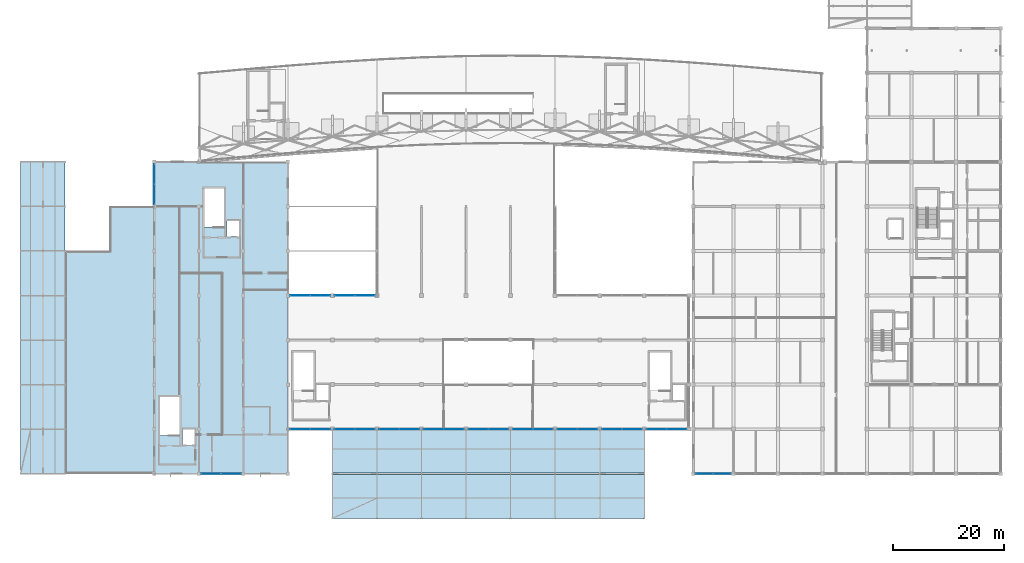
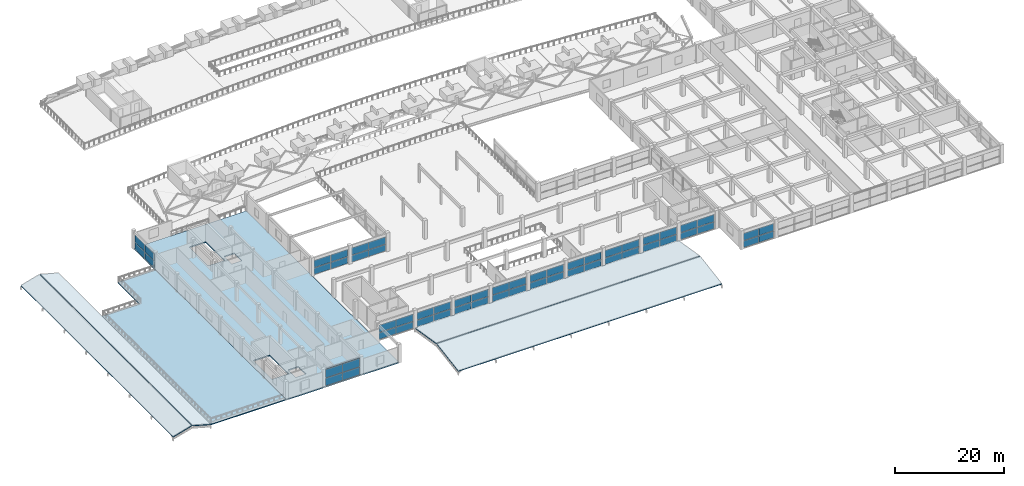
# One storey, part 34 of 67: 56 plates, 6 slabs, 14 elements without a shape of their own.
"""IFC4 building model written with IfcOpenShell, lengths in metres."""

from ifc_helpers import new_model, si_unit, direction, frame, origin, origin_2d, place, context, subcontext, project, spatial, polyline, rectangle, outline, extrude, material, layer, layer_set, type_object, element, aggregate, save


model = new_model("IFC4")

# Units and contexts
model_context = context("Model", 3, precision=1e-05, world=origin(), true_north=direction((0.0, 1.0)))
body_context = subcontext(model_context, "Body", "Model", "MODEL_VIEW")
ifc_project = project(units=[si_unit("LENGTHUNIT", "METRE"), si_unit("AREAUNIT", "SQUARE_METRE"), si_unit("VOLUMEUNIT", "CUBIC_METRE"), si_unit("PLANEANGLEUNIT", "RADIAN"), si_unit("MASSUNIT", "GRAM", prefix="KILO")], contexts=[model_context])

# Site, building, storey
site_placement = place(None, origin())
site = spatial("IfcSite", under=ifc_project, at=site_placement, CompositionType="ELEMENT")
building_placement = place(site_placement, origin())
building = spatial("IfcBuilding", under=site, at=building_placement, Name="Kenh Van Central Station", CompositionType="ELEMENT")
storey_placement = place(building_placement, frame((0.0, 0.0, 10.800048828125)))
storey = spatial("IfcBuildingStorey", under=building, at=storey_placement, Name="L02", CompositionType="ELEMENT", Elevation=10.800048828125)

# Curtain wall, plates
ifc_material_1 = material(Name="Champagne anodised aluminium", Category="aluminium")
curtain_wall_type_1 = type_object("IfcCurtainWallType", Name="CW-RETL-B", PredefinedType="NOTDEFINED", material=ifc_material_1)
curtain_wall_1_placement = place(storey_placement, origin())
curtain_wall_1 = element("IfcCurtainWall", 1, at=curtain_wall_1_placement, inside=storey, type_object=curtain_wall_type_1, Name="L02 curtain wall 180", PredefinedType="NOTDEFINED")
ifc_material_2 = material(Name="Double-glazed low-E laminated solar glass", Category="glass")
ifc_layer_1 = layer(ifc_material_2, 0.02392578125, Name="Double-glazed low-E laminated solar glass")
ifc_layer_set_1 = layer_set([ifc_layer_1], Name="Double-glazed low-E laminated solar glass")
plate_type_1 = type_object("IfcPlateType", Name="CWP-IGU-24", PredefinedType="CURTAIN_PANEL", material=ifc_layer_set_1)
plate_1_placement = place(storey_placement, frame((34.183837890625, 8.0, 0.072021484375), z_axis=(0.0, 0.0, 1.0), x_axis=(1.0, 0.0, 0.0)))
plate_1 = element("IfcPlate", 2, at=plate_1_placement, type_object=plate_type_1, Name="CW-06 panel 1.1", PredefinedType="CURTAIN_PANEL", context=body_context, shape_type="SweptSolid", body=[
    extrude(rectangle(XDim=3.547607421875, YDim=0.02392578125, at=origin_2d()), origin(), (0.0, 0.0, 1.0), 1.75439453125),
])
plate_2_placement = place(storey_placement, frame((34.183837890625, 8.0, 1.8984375), z_axis=(0.0, 0.0, 1.0), x_axis=(1.0, 0.0, 0.0)))
plate_2 = element("IfcPlate", 3, at=plate_2_placement, type_object=plate_type_1, Name="CW-06 panel 1.2", PredefinedType="CURTAIN_PANEL", context=body_context, shape_type="SweptSolid", body=[
    extrude(rectangle(XDim=3.547607421875, YDim=0.02392578125, at=origin_2d()), origin(), (0.0, 0.0, 1.0), 1.90966796875),
])
plate_3_placement = place(storey_placement, frame((37.816162109375, 8.0, 0.072021484375), z_axis=(0.0, 0.0, 1.0), x_axis=(1.0, 0.0, 0.0)))
plate_3 = element("IfcPlate", 4, at=plate_3_placement, type_object=plate_type_1, Name="CW-06 panel 2.1", PredefinedType="CURTAIN_PANEL", context=body_context, shape_type="SweptSolid", body=[
    extrude(rectangle(XDim=3.547607421875, YDim=0.02392578125, at=origin_2d()), origin(), (0.0, 0.0, 1.0), 1.75439453125),
])
plate_4_placement = place(storey_placement, frame((37.816162109375, 8.0, 1.8984375), z_axis=(0.0, 0.0, 1.0), x_axis=(1.0, 0.0, 0.0)))
plate_4 = element("IfcPlate", 5, at=plate_4_placement, type_object=plate_type_1, Name="CW-06 panel 2.2", PredefinedType="CURTAIN_PANEL", context=body_context, shape_type="SweptSolid", body=[
    extrude(rectangle(XDim=3.547607421875, YDim=0.02392578125, at=origin_2d()), origin(), (0.0, 0.0, 1.0), 1.90966796875),
])
aggregate(curtain_wall_1, [plate_1, plate_2, plate_3, plate_4])

curtain_wall_2_placement = place(storey_placement, origin())
curtain_wall_2 = element("IfcCurtainWall", 6, at=curtain_wall_2_placement, inside=storey, type_object=curtain_wall_type_1, Name="L02 curtain wall 181", PredefinedType="NOTDEFINED")
plate_5_placement = place(storey_placement, frame((24.0, 61.816162109375, 0.072021484375), z_axis=(0.0, 0.0, 1.0), x_axis=(0.0, -1.0, 0.0)))
plate_5 = element("IfcPlate", 7, at=plate_5_placement, type_object=plate_type_1, Name="CW-06 panel 1.1", PredefinedType="CURTAIN_PANEL", context=body_context, shape_type="SweptSolid", body=[
    extrude(rectangle(XDim=3.547607421875, YDim=0.02392578125, at=origin_2d()), origin(), (0.0, 0.0, 1.0), 1.5048828125),
])
plate_6_placement = place(storey_placement, frame((24.0, 61.816162109375, 1.648681640625), z_axis=(0.0, 0.0, 1.0), x_axis=(0.0, -1.0, 0.0)))
plate_6 = element("IfcPlate", 8, at=plate_6_placement, type_object=plate_type_1, Name="CW-06 panel 1.2", PredefinedType="CURTAIN_PANEL", context=body_context, shape_type="SweptSolid", body=[
    extrude(rectangle(XDim=3.547607421875, YDim=0.02392578125, at=origin_2d()), origin(), (0.0, 0.0, 1.0), 1.63916015625),
])
plate_7_placement = place(storey_placement, frame((24.0, 58.183837890625, 0.072021484375), z_axis=(0.0, 0.0, 1.0), x_axis=(0.0, -1.0, 0.0)))
plate_7 = element("IfcPlate", 9, at=plate_7_placement, type_object=plate_type_1, Name="CW-06 panel 2.1", PredefinedType="CURTAIN_PANEL", context=body_context, shape_type="SweptSolid", body=[
    extrude(rectangle(XDim=3.547607421875, YDim=0.02392578125, at=origin_2d()), origin(), (0.0, 0.0, 1.0), 1.5048828125),
])
plate_8_placement = place(storey_placement, frame((24.0, 58.183837890625, 1.648681640625), z_axis=(0.0, 0.0, 1.0), x_axis=(0.0, -1.0, 0.0)))
plate_8 = element("IfcPlate", 10, at=plate_8_placement, type_object=plate_type_1, Name="CW-06 panel 2.2", PredefinedType="CURTAIN_PANEL", context=body_context, shape_type="SweptSolid", body=[
    extrude(rectangle(XDim=3.547607421875, YDim=0.02392578125, at=origin_2d()), origin(), (0.0, 0.0, 1.0), 1.63916015625),
])
aggregate(curtain_wall_2, [plate_5, plate_6, plate_7, plate_8])

curtain_wall_type_2 = type_object("IfcCurtainWallType", Name="CW-CONC-B", PredefinedType="NOTDEFINED", material=ifc_material_1)
curtain_wall_3_placement = place(storey_placement, origin())
curtain_wall_3 = element("IfcCurtainWall", 11, at=curtain_wall_3_placement, inside=storey, type_object=curtain_wall_type_2, Name="L02 curtain wall 168", PredefinedType="NOTDEFINED")
ifc_layer_2 = layer(ifc_material_2, 0.028076171875, Name="Double-glazed low-E laminated solar glass")
ifc_layer_set_2 = layer_set([ifc_layer_2], Name="Double-glazed low-E laminated solar glass")
plate_type_2 = type_object("IfcPlateType", Name="CWP-IGU-28", PredefinedType="CURTAIN_PANEL", material=ifc_layer_set_2)
plate_9_placement = place(storey_placement, frame((61.804443359375, 40.0, 0.072021484375), z_axis=(0.0, 0.0, 1.0), x_axis=(-1.0, 0.0, 0.0)))
plate_9 = element("IfcPlate", 12, at=plate_9_placement, type_object=plate_type_2, Name="CW-04 panel 1.1", PredefinedType="CURTAIN_PANEL", context=body_context, shape_type="SweptSolid", body=[
    extrude(rectangle(XDim=3.527099609375, YDim=0.028076171875, at=origin_2d()), origin(), (0.0, 0.0, 1.0), 1.5048828125),
])
plate_10_placement = place(storey_placement, frame((61.804443359375, 40.0, 1.648681640625), z_axis=(0.0, 0.0, 1.0), x_axis=(-1.0, 0.0, 0.0)))
plate_10 = element("IfcPlate", 13, at=plate_10_placement, type_object=plate_type_2, Name="CW-04 panel 1.2", PredefinedType="CURTAIN_PANEL", context=body_context, shape_type="SweptSolid", body=[
    extrude(rectangle(XDim=3.527099609375, YDim=0.028076171875, at=origin_2d()), origin(), (0.0, 0.0, 1.0), 1.63916015625),
])
plate_11_placement = place(storey_placement, frame((58.195556640625, 40.0, 0.072021484375), z_axis=(0.0, 0.0, 1.0), x_axis=(-1.0, 0.0, 0.0)))
plate_11 = element("IfcPlate", 14, at=plate_11_placement, type_object=plate_type_2, Name="CW-04 panel 2.1", PredefinedType="CURTAIN_PANEL", context=body_context, shape_type="SweptSolid", body=[
    extrude(rectangle(XDim=3.527099609375, YDim=0.028076171875, at=origin_2d()), origin(), (0.0, 0.0, 1.0), 1.5048828125),
])
plate_12_placement = place(storey_placement, frame((58.195556640625, 40.0, 1.648681640625), z_axis=(0.0, 0.0, 1.0), x_axis=(-1.0, 0.0, 0.0)))
plate_12 = element("IfcPlate", 15, at=plate_12_placement, type_object=plate_type_2, Name="CW-04 panel 2.2", PredefinedType="CURTAIN_PANEL", context=body_context, shape_type="SweptSolid", body=[
    extrude(rectangle(XDim=3.527099609375, YDim=0.028076171875, at=origin_2d()), origin(), (0.0, 0.0, 1.0), 1.63916015625),
])
aggregate(curtain_wall_3, [plate_9, plate_10, plate_11, plate_12])

curtain_wall_4_placement = place(storey_placement, origin())
curtain_wall_4 = element("IfcCurtainWall", 16, at=curtain_wall_4_placement, inside=storey, type_object=curtain_wall_type_2, Name="L02 curtain wall 169", PredefinedType="NOTDEFINED")
plate_13_placement = place(storey_placement, frame((53.79833984375, 40.0, 0.072021484375), z_axis=(0.0, 0.0, 1.0), x_axis=(-1.0, 0.0, 0.0)))
plate_13 = element("IfcPlate", 17, at=plate_13_placement, type_object=plate_type_2, Name="CW-04 panel 1.1", PredefinedType="CURTAIN_PANEL", context=body_context, shape_type="SweptSolid", body=[
    extrude(rectangle(XDim=3.53955078125, YDim=0.028076171875, at=origin_2d()), origin(), (0.0, 0.0, 1.0), 1.5048828125),
])
plate_14_placement = place(storey_placement, frame((53.79833984375, 40.0, 1.648681640625), z_axis=(0.0, 0.0, 1.0), x_axis=(-1.0, 0.0, 0.0)))
plate_14 = element("IfcPlate", 18, at=plate_14_placement, type_object=plate_type_2, Name="CW-04 panel 1.2", PredefinedType="CURTAIN_PANEL", context=body_context, shape_type="SweptSolid", body=[
    extrude(rectangle(XDim=3.53955078125, YDim=0.028076171875, at=origin_2d()), origin(), (0.0, 0.0, 1.0), 1.63916015625),
])
plate_15_placement = place(storey_placement, frame((50.1767578125, 40.0, 0.072021484375), z_axis=(0.0, 0.0, 1.0), x_axis=(-1.0, 0.0, 0.0)))
plate_15 = element("IfcPlate", 19, at=plate_15_placement, type_object=plate_type_2, Name="CW-04 panel 2.1", PredefinedType="CURTAIN_PANEL", context=body_context, shape_type="SweptSolid", body=[
    extrude(rectangle(XDim=3.53955078125, YDim=0.028076171875, at=origin_2d()), origin(), (0.0, 0.0, 1.0), 1.5048828125),
])
plate_16_placement = place(storey_placement, frame((50.1767578125, 40.0, 1.648681640625), z_axis=(0.0, 0.0, 1.0), x_axis=(-1.0, 0.0, 0.0)))
plate_16 = element("IfcPlate", 20, at=plate_16_placement, type_object=plate_type_2, Name="CW-04 panel 2.2", PredefinedType="CURTAIN_PANEL", context=body_context, shape_type="SweptSolid", body=[
    extrude(rectangle(XDim=3.53955078125, YDim=0.028076171875, at=origin_2d()), origin(), (0.0, 0.0, 1.0), 1.63916015625),
])
aggregate(curtain_wall_4, [plate_13, plate_14, plate_15, plate_16])

curtain_wall_type_3 = type_object("IfcCurtainWallType", Name="CW-CONC-A", PredefinedType="NOTDEFINED", material=ifc_material_1)
curtain_wall_5_placement = place(storey_placement, origin())
curtain_wall_5 = element("IfcCurtainWall", 21, at=curtain_wall_5_placement, inside=storey, type_object=curtain_wall_type_3, Name="L02 curtain wall 159", PredefinedType="NOTDEFINED")
ifc_layer_3 = layer(ifc_material_2, 0.030029296875, Name="Double-glazed low-E laminated solar glass")
ifc_layer_set_3 = layer_set([ifc_layer_3], Name="Double-glazed low-E laminated solar glass")
plate_type_3 = type_object("IfcPlateType", Name="CWP-IGU-30", PredefinedType="CURTAIN_PANEL", material=ifc_layer_set_3)
plate_17_placement = place(storey_placement, frame((50.1767578125, 16.0, 0.072021484375), z_axis=(0.0, 0.0, 1.0), x_axis=(1.0, 0.0, 0.0)))
plate_17 = element("IfcPlate", 22, at=plate_17_placement, type_object=plate_type_3, Name="CW-03 panel 1.1", PredefinedType="CURTAIN_PANEL", context=body_context, shape_type="SweptSolid", body=[
    extrude(rectangle(XDim=3.53955078125, YDim=0.030029296875, at=origin_2d()), origin(), (0.0, 0.0, 1.0), 1.5048828125),
])
plate_18_placement = place(storey_placement, frame((50.1767578125, 16.0, 1.648681640625), z_axis=(0.0, 0.0, 1.0), x_axis=(1.0, 0.0, 0.0)))
plate_18 = element("IfcPlate", 23, at=plate_18_placement, type_object=plate_type_3, Name="CW-03 panel 1.2", PredefinedType="CURTAIN_PANEL", context=body_context, shape_type="SweptSolid", body=[
    extrude(rectangle(XDim=3.53955078125, YDim=0.030029296875, at=origin_2d()), origin(), (0.0, 0.0, 1.0), 1.63916015625),
])
plate_19_placement = place(storey_placement, frame((53.79833984375, 16.0, 0.072021484375), z_axis=(0.0, 0.0, 1.0), x_axis=(1.0, 0.0, 0.0)))
plate_19 = element("IfcPlate", 24, at=plate_19_placement, type_object=plate_type_3, Name="CW-03 panel 2.1", PredefinedType="CURTAIN_PANEL", context=body_context, shape_type="SweptSolid", body=[
    extrude(rectangle(XDim=3.53955078125, YDim=0.030029296875, at=origin_2d()), origin(), (0.0, 0.0, 1.0), 1.5048828125),
])
plate_20_placement = place(storey_placement, frame((53.79833984375, 16.0, 1.648681640625), z_axis=(0.0, 0.0, 1.0), x_axis=(1.0, 0.0, 0.0)))
plate_20 = element("IfcPlate", 25, at=plate_20_placement, type_object=plate_type_3, Name="CW-03 panel 2.2", PredefinedType="CURTAIN_PANEL", context=body_context, shape_type="SweptSolid", body=[
    extrude(rectangle(XDim=3.53955078125, YDim=0.030029296875, at=origin_2d()), origin(), (0.0, 0.0, 1.0), 1.63916015625),
])
aggregate(curtain_wall_5, [plate_17, plate_18, plate_19, plate_20])

curtain_wall_6_placement = place(storey_placement, origin())
curtain_wall_6 = element("IfcCurtainWall", 26, at=curtain_wall_6_placement, inside=storey, type_object=curtain_wall_type_3, Name="L02 curtain wall 160", PredefinedType="NOTDEFINED")
plate_21_placement = place(storey_placement, frame((58.195556640625, 16.0, 0.072021484375), z_axis=(0.0, 0.0, 1.0), x_axis=(1.0, 0.0, 0.0)))
plate_21 = element("IfcPlate", 27, at=plate_21_placement, type_object=plate_type_3, Name="CW-03 panel 1.1", PredefinedType="CURTAIN_PANEL", context=body_context, shape_type="SweptSolid", body=[
    extrude(rectangle(XDim=3.527099609375, YDim=0.030029296875, at=origin_2d()), origin(), (0.0, 0.0, 1.0), 1.5048828125),
])
plate_22_placement = place(storey_placement, frame((58.195556640625, 16.0, 1.648681640625), z_axis=(0.0, 0.0, 1.0), x_axis=(1.0, 0.0, 0.0)))
plate_22 = element("IfcPlate", 28, at=plate_22_placement, type_object=plate_type_3, Name="CW-03 panel 1.2", PredefinedType="CURTAIN_PANEL", context=body_context, shape_type="SweptSolid", body=[
    extrude(rectangle(XDim=3.527099609375, YDim=0.030029296875, at=origin_2d()), origin(), (0.0, 0.0, 1.0), 1.63916015625),
])
plate_23_placement = place(storey_placement, frame((61.804443359375, 16.0, 0.072021484375), z_axis=(0.0, 0.0, 1.0), x_axis=(1.0, 0.0, 0.0)))
plate_23 = element("IfcPlate", 29, at=plate_23_placement, type_object=plate_type_3, Name="CW-03 panel 2.1", PredefinedType="CURTAIN_PANEL", context=body_context, shape_type="SweptSolid", body=[
    extrude(rectangle(XDim=3.527099609375, YDim=0.030029296875, at=origin_2d()), origin(), (0.0, 0.0, 1.0), 1.5048828125),
])
plate_24_placement = place(storey_placement, frame((61.804443359375, 16.0, 1.648681640625), z_axis=(0.0, 0.0, 1.0), x_axis=(1.0, 0.0, 0.0)))
plate_24 = element("IfcPlate", 30, at=plate_24_placement, type_object=plate_type_3, Name="CW-03 panel 2.2", PredefinedType="CURTAIN_PANEL", context=body_context, shape_type="SweptSolid", body=[
    extrude(rectangle(XDim=3.527099609375, YDim=0.030029296875, at=origin_2d()), origin(), (0.0, 0.0, 1.0), 1.63916015625),
])
aggregate(curtain_wall_6, [plate_21, plate_22, plate_23, plate_24])

curtain_wall_7_placement = place(storey_placement, origin())
curtain_wall_7 = element("IfcCurtainWall", 31, at=curtain_wall_7_placement, inside=storey, type_object=curtain_wall_type_3, Name="L02 curtain wall 161", PredefinedType="NOTDEFINED")
plate_25_placement = place(storey_placement, frame((66.195556640625, 16.0, 0.072021484375), z_axis=(0.0, 0.0, 1.0), x_axis=(1.0, 0.0, 0.0)))
plate_25 = element("IfcPlate", 32, at=plate_25_placement, type_object=plate_type_3, Name="CW-03 panel 1.1", PredefinedType="CURTAIN_PANEL", context=body_context, shape_type="SweptSolid", body=[
    extrude(rectangle(XDim=3.527099609375, YDim=0.030029296875, at=origin_2d()), origin(), (0.0, 0.0, 1.0), 1.5048828125),
])
plate_26_placement = place(storey_placement, frame((66.195556640625, 16.0, 1.648681640625), z_axis=(0.0, 0.0, 1.0), x_axis=(1.0, 0.0, 0.0)))
plate_26 = element("IfcPlate", 33, at=plate_26_placement, type_object=plate_type_3, Name="CW-03 panel 1.2", PredefinedType="CURTAIN_PANEL", context=body_context, shape_type="SweptSolid", body=[
    extrude(rectangle(XDim=3.527099609375, YDim=0.030029296875, at=origin_2d()), origin(), (0.0, 0.0, 1.0), 1.63916015625),
])
plate_27_placement = place(storey_placement, frame((69.804443359375, 16.0, 0.072021484375), z_axis=(0.0, 0.0, 1.0), x_axis=(1.0, 0.0, 0.0)))
plate_27 = element("IfcPlate", 34, at=plate_27_placement, type_object=plate_type_3, Name="CW-03 panel 2.1", PredefinedType="CURTAIN_PANEL", context=body_context, shape_type="SweptSolid", body=[
    extrude(rectangle(XDim=3.527099609375, YDim=0.030029296875, at=origin_2d()), origin(), (0.0, 0.0, 1.0), 1.5048828125),
])
plate_28_placement = place(storey_placement, frame((69.804443359375, 16.0, 1.648681640625), z_axis=(0.0, 0.0, 1.0), x_axis=(1.0, 0.0, 0.0)))
plate_28 = element("IfcPlate", 35, at=plate_28_placement, type_object=plate_type_3, Name="CW-03 panel 2.2", PredefinedType="CURTAIN_PANEL", context=body_context, shape_type="SweptSolid", body=[
    extrude(rectangle(XDim=3.527099609375, YDim=0.030029296875, at=origin_2d()), origin(), (0.0, 0.0, 1.0), 1.63916015625),
])
aggregate(curtain_wall_7, [plate_25, plate_26, plate_27, plate_28])

curtain_wall_8_placement = place(storey_placement, origin())
curtain_wall_8 = element("IfcCurtainWall", 36, at=curtain_wall_8_placement, inside=storey, type_object=curtain_wall_type_3, Name="L02 curtain wall 162", PredefinedType="NOTDEFINED")
plate_29_placement = place(storey_placement, frame((74.195556640625, 16.0, 0.072021484375), z_axis=(0.0, 0.0, 1.0), x_axis=(1.0, 0.0, 0.0)))
plate_29 = element("IfcPlate", 37, at=plate_29_placement, type_object=plate_type_3, Name="CW-03 panel 1.1", PredefinedType="CURTAIN_PANEL", context=body_context, shape_type="SweptSolid", body=[
    extrude(rectangle(XDim=3.527099609375, YDim=0.030029296875, at=origin_2d()), origin(), (0.0, 0.0, 1.0), 1.5048828125),
])
plate_30_placement = place(storey_placement, frame((74.195556640625, 16.0, 1.648681640625), z_axis=(0.0, 0.0, 1.0), x_axis=(1.0, 0.0, 0.0)))
plate_30 = element("IfcPlate", 38, at=plate_30_placement, type_object=plate_type_3, Name="CW-03 panel 1.2", PredefinedType="CURTAIN_PANEL", context=body_context, shape_type="SweptSolid", body=[
    extrude(rectangle(XDim=3.527099609375, YDim=0.030029296875, at=origin_2d()), origin(), (0.0, 0.0, 1.0), 1.63916015625),
])
plate_31_placement = place(storey_placement, frame((77.804443359375, 16.0, 0.072021484375), z_axis=(0.0, 0.0, 1.0), x_axis=(1.0, 0.0, 0.0)))
plate_31 = element("IfcPlate", 39, at=plate_31_placement, type_object=plate_type_3, Name="CW-03 panel 2.1", PredefinedType="CURTAIN_PANEL", context=body_context, shape_type="SweptSolid", body=[
    extrude(rectangle(XDim=3.527099609375, YDim=0.030029296875, at=origin_2d()), origin(), (0.0, 0.0, 1.0), 1.5048828125),
])
plate_32_placement = place(storey_placement, frame((77.804443359375, 16.0, 1.648681640625), z_axis=(0.0, 0.0, 1.0), x_axis=(1.0, 0.0, 0.0)))
plate_32 = element("IfcPlate", 40, at=plate_32_placement, type_object=plate_type_3, Name="CW-03 panel 2.2", PredefinedType="CURTAIN_PANEL", context=body_context, shape_type="SweptSolid", body=[
    extrude(rectangle(XDim=3.527099609375, YDim=0.030029296875, at=origin_2d()), origin(), (0.0, 0.0, 1.0), 1.63916015625),
])
aggregate(curtain_wall_8, [plate_29, plate_30, plate_31, plate_32])

curtain_wall_9_placement = place(storey_placement, origin())
curtain_wall_9 = element("IfcCurtainWall", 41, at=curtain_wall_9_placement, inside=storey, type_object=curtain_wall_type_3, Name="L02 curtain wall 163", PredefinedType="NOTDEFINED")
plate_33_placement = place(storey_placement, frame((82.195556640625, 16.0, 0.072021484375), z_axis=(0.0, 0.0, 1.0), x_axis=(1.0, 0.0, 0.0)))
plate_33 = element("IfcPlate", 42, at=plate_33_placement, type_object=plate_type_3, Name="CW-03 panel 1.1", PredefinedType="CURTAIN_PANEL", context=body_context, shape_type="SweptSolid", body=[
    extrude(rectangle(XDim=3.527099609375, YDim=0.030029296875, at=origin_2d()), origin(), (0.0, 0.0, 1.0), 1.5048828125),
])
plate_34_placement = place(storey_placement, frame((82.195556640625, 16.0, 1.648681640625), z_axis=(0.0, 0.0, 1.0), x_axis=(1.0, 0.0, 0.0)))
plate_34 = element("IfcPlate", 43, at=plate_34_placement, type_object=plate_type_3, Name="CW-03 panel 1.2", PredefinedType="CURTAIN_PANEL", context=body_context, shape_type="SweptSolid", body=[
    extrude(rectangle(XDim=3.527099609375, YDim=0.030029296875, at=origin_2d()), origin(), (0.0, 0.0, 1.0), 1.63916015625),
])
plate_35_placement = place(storey_placement, frame((85.804443359375, 16.0, 0.072021484375), z_axis=(0.0, 0.0, 1.0), x_axis=(1.0, 0.0, 0.0)))
plate_35 = element("IfcPlate", 44, at=plate_35_placement, type_object=plate_type_3, Name="CW-03 panel 2.1", PredefinedType="CURTAIN_PANEL", context=body_context, shape_type="SweptSolid", body=[
    extrude(rectangle(XDim=3.527099609375, YDim=0.030029296875, at=origin_2d()), origin(), (0.0, 0.0, 1.0), 1.5048828125),
])
plate_36_placement = place(storey_placement, frame((85.804443359375, 16.0, 1.648681640625), z_axis=(0.0, 0.0, 1.0), x_axis=(1.0, 0.0, 0.0)))
plate_36 = element("IfcPlate", 45, at=plate_36_placement, type_object=plate_type_3, Name="CW-03 panel 2.2", PredefinedType="CURTAIN_PANEL", context=body_context, shape_type="SweptSolid", body=[
    extrude(rectangle(XDim=3.527099609375, YDim=0.030029296875, at=origin_2d()), origin(), (0.0, 0.0, 1.0), 1.63916015625),
])
aggregate(curtain_wall_9, [plate_33, plate_34, plate_35, plate_36])

curtain_wall_10_placement = place(storey_placement, origin())
curtain_wall_10 = element("IfcCurtainWall", 46, at=curtain_wall_10_placement, inside=storey, type_object=curtain_wall_type_3, Name="L02 curtain wall 164", PredefinedType="NOTDEFINED")
plate_37_placement = place(storey_placement, frame((90.195556640625, 16.0, 0.072021484375), z_axis=(0.0, 0.0, 1.0), x_axis=(1.0, 0.0, 0.0)))
plate_37 = element("IfcPlate", 47, at=plate_37_placement, type_object=plate_type_3, Name="CW-03 panel 1.1", PredefinedType="CURTAIN_PANEL", context=body_context, shape_type="SweptSolid", body=[
    extrude(rectangle(XDim=3.527099609375, YDim=0.030029296875, at=origin_2d()), origin(), (0.0, 0.0, 1.0), 1.5048828125),
])
plate_38_placement = place(storey_placement, frame((90.195556640625, 16.0, 1.648681640625), z_axis=(0.0, 0.0, 1.0), x_axis=(1.0, 0.0, 0.0)))
plate_38 = element("IfcPlate", 48, at=plate_38_placement, type_object=plate_type_3, Name="CW-03 panel 1.2", PredefinedType="CURTAIN_PANEL", context=body_context, shape_type="SweptSolid", body=[
    extrude(rectangle(XDim=3.527099609375, YDim=0.030029296875, at=origin_2d()), origin(), (0.0, 0.0, 1.0), 1.63916015625),
])
plate_39_placement = place(storey_placement, frame((93.804443359375, 16.0, 0.072021484375), z_axis=(0.0, 0.0, 1.0), x_axis=(1.0, 0.0, 0.0)))
plate_39 = element("IfcPlate", 49, at=plate_39_placement, type_object=plate_type_3, Name="CW-03 panel 2.1", PredefinedType="CURTAIN_PANEL", context=body_context, shape_type="SweptSolid", body=[
    extrude(rectangle(XDim=3.527099609375, YDim=0.030029296875, at=origin_2d()), origin(), (0.0, 0.0, 1.0), 1.5048828125),
])
plate_40_placement = place(storey_placement, frame((93.804443359375, 16.0, 1.648681640625), z_axis=(0.0, 0.0, 1.0), x_axis=(1.0, 0.0, 0.0)))
plate_40 = element("IfcPlate", 50, at=plate_40_placement, type_object=plate_type_3, Name="CW-03 panel 2.2", PredefinedType="CURTAIN_PANEL", context=body_context, shape_type="SweptSolid", body=[
    extrude(rectangle(XDim=3.527099609375, YDim=0.030029296875, at=origin_2d()), origin(), (0.0, 0.0, 1.0), 1.63916015625),
])
aggregate(curtain_wall_10, [plate_37, plate_38, plate_39, plate_40])

curtain_wall_11_placement = place(storey_placement, origin())
curtain_wall_11 = element("IfcCurtainWall", 51, at=curtain_wall_11_placement, inside=storey, type_object=curtain_wall_type_3, Name="L02 curtain wall 165", PredefinedType="NOTDEFINED")
plate_41_placement = place(storey_placement, frame((98.195556640625, 16.0, 0.072021484375), z_axis=(0.0, 0.0, 1.0), x_axis=(1.0, 0.0, 0.0)))
plate_41 = element("IfcPlate", 52, at=plate_41_placement, type_object=plate_type_3, Name="CW-03 panel 1.1", PredefinedType="CURTAIN_PANEL", context=body_context, shape_type="SweptSolid", body=[
    extrude(rectangle(XDim=3.527099609375, YDim=0.030029296875, at=origin_2d()), origin(), (0.0, 0.0, 1.0), 1.5048828125),
])
plate_42_placement = place(storey_placement, frame((98.195556640625, 16.0, 1.648681640625), z_axis=(0.0, 0.0, 1.0), x_axis=(1.0, 0.0, 0.0)))
plate_42 = element("IfcPlate", 53, at=plate_42_placement, type_object=plate_type_3, Name="CW-03 panel 1.2", PredefinedType="CURTAIN_PANEL", context=body_context, shape_type="SweptSolid", body=[
    extrude(rectangle(XDim=3.527099609375, YDim=0.030029296875, at=origin_2d()), origin(), (0.0, 0.0, 1.0), 1.63916015625),
])
plate_43_placement = place(storey_placement, frame((101.804443359375, 16.0, 0.072021484375), z_axis=(0.0, 0.0, 1.0), x_axis=(1.0, 0.0, 0.0)))
plate_43 = element("IfcPlate", 54, at=plate_43_placement, type_object=plate_type_3, Name="CW-03 panel 2.1", PredefinedType="CURTAIN_PANEL", context=body_context, shape_type="SweptSolid", body=[
    extrude(rectangle(XDim=3.527099609375, YDim=0.030029296875, at=origin_2d()), origin(), (0.0, 0.0, 1.0), 1.5048828125),
])
plate_44_placement = place(storey_placement, frame((101.804443359375, 16.0, 1.648681640625), z_axis=(0.0, 0.0, 1.0), x_axis=(1.0, 0.0, 0.0)))
plate_44 = element("IfcPlate", 55, at=plate_44_placement, type_object=plate_type_3, Name="CW-03 panel 2.2", PredefinedType="CURTAIN_PANEL", context=body_context, shape_type="SweptSolid", body=[
    extrude(rectangle(XDim=3.527099609375, YDim=0.030029296875, at=origin_2d()), origin(), (0.0, 0.0, 1.0), 1.63916015625),
])
aggregate(curtain_wall_11, [plate_41, plate_42, plate_43, plate_44])

curtain_wall_12_placement = place(storey_placement, origin())
curtain_wall_12 = element("IfcCurtainWall", 56, at=curtain_wall_12_placement, inside=storey, type_object=curtain_wall_type_3, Name="L02 curtain wall 166", PredefinedType="NOTDEFINED")
plate_45_placement = place(storey_placement, frame((106.195556640625, 16.0, 0.072021484375), z_axis=(0.0, 0.0, 1.0), x_axis=(1.0, 0.0, 0.0)))
plate_45 = element("IfcPlate", 57, at=plate_45_placement, type_object=plate_type_3, Name="CW-03 panel 1.1", PredefinedType="CURTAIN_PANEL", context=body_context, shape_type="SweptSolid", body=[
    extrude(rectangle(XDim=3.527099609375, YDim=0.030029296875, at=origin_2d()), origin(), (0.0, 0.0, 1.0), 1.5048828125),
])
plate_46_placement = place(storey_placement, frame((106.195556640625, 16.0, 1.648681640625), z_axis=(0.0, 0.0, 1.0), x_axis=(1.0, 0.0, 0.0)))
plate_46 = element("IfcPlate", 58, at=plate_46_placement, type_object=plate_type_3, Name="CW-03 panel 1.2", PredefinedType="CURTAIN_PANEL", context=body_context, shape_type="SweptSolid", body=[
    extrude(rectangle(XDim=3.527099609375, YDim=0.030029296875, at=origin_2d()), origin(), (0.0, 0.0, 1.0), 1.63916015625),
])
plate_47_placement = place(storey_placement, frame((109.804443359375, 16.0, 0.072021484375), z_axis=(0.0, 0.0, 1.0), x_axis=(1.0, 0.0, 0.0)))
plate_47 = element("IfcPlate", 59, at=plate_47_placement, type_object=plate_type_3, Name="CW-03 panel 2.1", PredefinedType="CURTAIN_PANEL", context=body_context, shape_type="SweptSolid", body=[
    extrude(rectangle(XDim=3.527099609375, YDim=0.030029296875, at=origin_2d()), origin(), (0.0, 0.0, 1.0), 1.5048828125),
])
plate_48_placement = place(storey_placement, frame((109.804443359375, 16.0, 1.648681640625), z_axis=(0.0, 0.0, 1.0), x_axis=(1.0, 0.0, 0.0)))
plate_48 = element("IfcPlate", 60, at=plate_48_placement, type_object=plate_type_3, Name="CW-03 panel 2.2", PredefinedType="CURTAIN_PANEL", context=body_context, shape_type="SweptSolid", body=[
    extrude(rectangle(XDim=3.527099609375, YDim=0.030029296875, at=origin_2d()), origin(), (0.0, 0.0, 1.0), 1.63916015625),
])
aggregate(curtain_wall_12, [plate_45, plate_46, plate_47, plate_48])

curtain_wall_13_placement = place(storey_placement, origin())
curtain_wall_13 = element("IfcCurtainWall", 61, at=curtain_wall_13_placement, inside=storey, type_object=curtain_wall_type_3, Name="L02 curtain wall 167", PredefinedType="NOTDEFINED")
plate_49_placement = place(storey_placement, frame((114.195556640625, 16.0, 0.072021484375), z_axis=(0.0, 0.0, 1.0), x_axis=(1.0, 0.0, 0.0)))
plate_49 = element("IfcPlate", 62, at=plate_49_placement, type_object=plate_type_3, Name="CW-03 panel 1.1", PredefinedType="CURTAIN_PANEL", context=body_context, shape_type="SweptSolid", body=[
    extrude(rectangle(XDim=3.527099609375, YDim=0.030029296875, at=origin_2d()), origin(), (0.0, 0.0, 1.0), 1.5048828125),
])
plate_50_placement = place(storey_placement, frame((114.195556640625, 16.0, 1.648681640625), z_axis=(0.0, 0.0, 1.0), x_axis=(1.0, 0.0, 0.0)))
plate_50 = element("IfcPlate", 63, at=plate_50_placement, type_object=plate_type_3, Name="CW-03 panel 1.2", PredefinedType="CURTAIN_PANEL", context=body_context, shape_type="SweptSolid", body=[
    extrude(rectangle(XDim=3.527099609375, YDim=0.030029296875, at=origin_2d()), origin(), (0.0, 0.0, 1.0), 1.63916015625),
])
plate_51_placement = place(storey_placement, frame((117.804443359375, 16.0, 0.072021484375), z_axis=(0.0, 0.0, 1.0), x_axis=(1.0, 0.0, 0.0)))
plate_51 = element("IfcPlate", 64, at=plate_51_placement, type_object=plate_type_3, Name="CW-03 panel 2.1", PredefinedType="CURTAIN_PANEL", context=body_context, shape_type="SweptSolid", body=[
    extrude(rectangle(XDim=3.527099609375, YDim=0.030029296875, at=origin_2d()), origin(), (0.0, 0.0, 1.0), 1.5048828125),
])
plate_52_placement = place(storey_placement, frame((117.804443359375, 16.0, 1.648681640625), z_axis=(0.0, 0.0, 1.0), x_axis=(1.0, 0.0, 0.0)))
plate_52 = element("IfcPlate", 65, at=plate_52_placement, type_object=plate_type_3, Name="CW-03 panel 2.2", PredefinedType="CURTAIN_PANEL", context=body_context, shape_type="SweptSolid", body=[
    extrude(rectangle(XDim=3.527099609375, YDim=0.030029296875, at=origin_2d()), origin(), (0.0, 0.0, 1.0), 1.63916015625),
])
aggregate(curtain_wall_13, [plate_49, plate_50, plate_51, plate_52])

curtain_wall_type_4 = type_object("IfcCurtainWallType", Name="CW-OPER-A", PredefinedType="NOTDEFINED", material=ifc_material_1)
curtain_wall_14_placement = place(storey_placement, origin())
curtain_wall_14 = element("IfcCurtainWall", 66, at=curtain_wall_14_placement, inside=storey, type_object=curtain_wall_type_4, Name="L02 curtain wall 182", PredefinedType="NOTDEFINED")
ifc_layer_4 = layer(ifc_material_2, 0.031982421875, Name="Double-glazed low-E laminated solar glass")
ifc_layer_set_4 = layer_set([ifc_layer_4], Name="Double-glazed low-E laminated solar glass")
plate_type_4 = type_object("IfcPlateType", Name="CWP-IGU-32", PredefinedType="CURTAIN_PANEL", material=ifc_layer_set_4)
plate_53_placement = place(storey_placement, frame((122.797119140625, 8.0, 0.072021484375), z_axis=(0.0, 0.0, 1.0), x_axis=(1.0, 0.0, 0.0)))
plate_53 = element("IfcPlate", 67, at=plate_53_placement, type_object=plate_type_4, Name="CW-07 panel 1.1", PredefinedType="CURTAIN_PANEL", context=body_context, shape_type="SweptSolid", body=[
    extrude(rectangle(XDim=3.117919921875, YDim=0.031982421875, at=origin_2d()), origin(), (0.0, 0.0, 1.0), 1.5048828125),
])
plate_54_placement = place(storey_placement, frame((122.797119140625, 8.0, 1.648681640625), z_axis=(0.0, 0.0, 1.0), x_axis=(1.0, 0.0, 0.0)))
plate_54 = element("IfcPlate", 68, at=plate_54_placement, type_object=plate_type_4, Name="CW-07 panel 1.2", PredefinedType="CURTAIN_PANEL", context=body_context, shape_type="SweptSolid", body=[
    extrude(rectangle(XDim=3.117919921875, YDim=0.031982421875, at=origin_2d()), origin(), (0.0, 0.0, 1.0), 1.63916015625),
])
plate_55_placement = place(storey_placement, frame((126.0029296875, 8.0, 0.072021484375), z_axis=(0.0, 0.0, 1.0), x_axis=(1.0, 0.0, 0.0)))
plate_55 = element("IfcPlate", 69, at=plate_55_placement, type_object=plate_type_4, Name="CW-07 panel 2.1", PredefinedType="CURTAIN_PANEL", context=body_context, shape_type="SweptSolid", body=[
    extrude(rectangle(XDim=3.117919921875, YDim=0.031982421875, at=origin_2d()), origin(), (0.0, 0.0, 1.0), 1.5048828125),
])
plate_56_placement = place(storey_placement, frame((126.0029296875, 8.0, 1.648681640625), z_axis=(0.0, 0.0, 1.0), x_axis=(1.0, 0.0, 0.0)))
plate_56 = element("IfcPlate", 70, at=plate_56_placement, type_object=plate_type_4, Name="CW-07 panel 2.2", PredefinedType="CURTAIN_PANEL", context=body_context, shape_type="SweptSolid", body=[
    extrude(rectangle(XDim=3.117919921875, YDim=0.031982421875, at=origin_2d()), origin(), (0.0, 0.0, 1.0), 1.63916015625),
])
aggregate(curtain_wall_14, [plate_53, plate_54, plate_55, plate_56])

# Slabs
ifc_material_3 = material(Name="Concrete C35/45", Category="concrete")
ifc_layer_5 = layer(ifc_material_3, 0.260009765625, Name="Concrete C35/45")
ifc_layer_set_5 = layer_set([ifc_layer_5], Name="Concrete C35/45")
slab_type_1 = type_object("IfcSlabType", Name="SLB-FLR-260", PredefinedType="FLOOR", material=ifc_layer_set_5)
slab_1_placement = place(storey_placement, frame((0.0, 0.0, -0.260009765625)))
element("IfcSlab", 71, at=slab_1_placement, inside=storey, type_object=slab_type_1, Name="L02 slab SLB-L02-WEST", PredefinedType="FLOOR", context=body_context, shape_type="SweptSolid", body=[
    extrude(outline(polyline([(24.0, 8.0), (47.96240234375, 8.0), (47.96240234375, 64.0), (24.0, 64.0), (24.0, 8.0)]), holes=[polyline([(37.050048828125, 50.60009765625), (37.050048828125, 53.39990234375), (39.25, 53.39990234375), (39.25, 50.60009765625), (37.050048828125, 50.60009765625)]), polyline([(33.0, 52.264892578125), (33.0, 59.199951171875), (36.5, 59.199951171875), (36.5, 52.264892578125), (33.0, 52.264892578125)]), polyline([(31.25, 13.199951171875), (29.050048828125, 13.199951171875), (29.050048828125, 16.0), (31.25, 16.0), (31.25, 13.199951171875)]), polyline([(25.0, 14.864990234375), (25.0, 21.800048828125), (28.5, 21.800048828125), (28.5, 14.864990234375), (25.0, 14.864990234375)])]), origin(), (0.0, 0.0, 1.0), 0.260009765625),
])
ifc_layer_6 = layer(ifc_material_3, 0.1650390625, Name="Concrete C35/45")
ifc_layer_set_6 = layer_set([ifc_layer_6], Name="Concrete C35/45")
slab_type_2 = type_object("IfcSlabType", Name="SLB-ROOF-165", PredefinedType="ROOF", material=ifc_layer_set_6)
for number, where, z_axis, x_axis, name in (
    (72, (56.0, 0.0, 0.0), (0.0, -0.162381087761, 0.986728119766), (1.0, 0.0, 0.0), "L02 sloped roof RF-FORE-A"),
    (73, (56.0, 8.10009765625, 1.300048828125), (0.0, 0.162381087761, 0.986728119766), (1.0, 0.0, 0.0), "L02 sloped roof RF-FORE-B"),
):
    element("IfcSlab", number, at=place(storey_placement, frame(where, z_axis=z_axis, x_axis=x_axis)), inside=storey, type_object=slab_type_2, Name=name, PredefinedType="ROOF", context=body_context, shape_type="SweptSolid", body=[
        extrude(outline(polyline([(0.0, 0.0), (56.0, 0.0), (56.0, 8.006159128839244), (0.0, 8.006159128839244), (0.0, 0.0)])), origin(), (0.0, 0.0, -1.0), 0.1650390625),
    ])
for number, where, z_axis, x_axis, name in (
    (74, (0.0, 8.0, 0.0), (-0.271432974684, 0.0, 0.962457344641), (0.962457344641, 0.0, 0.271432974684), "L02 sloped roof RF-WCOL-A"),
    (75, (4.10009765625, 8.0, 1.099853515625), (0.271432974684, 0.0, 0.962457344641), (0.962457344641, 0.0, -0.271432974684), "L02 sloped roof RF-WCOL-B"),
):
    element("IfcSlab", number, at=place(storey_placement, frame(where, z_axis=z_axis, x_axis=x_axis)), inside=storey, type_object=slab_type_2, Name=name, PredefinedType="ROOF", context=body_context, shape_type="SweptSolid", body=[
        extrude(outline(polyline([(0.0, 0.0), (4.052026165589188, 0.0), (4.052026165589188, 56.0), (0.0, 56.0), (0.0, 0.0)])), origin(), (0.0, 0.0, -1.0), 0.1650390625),
    ])
ifc_layer_7 = layer(ifc_material_3, 0.215087890625, Name="Concrete C35/45")
ifc_layer_set_7 = layer_set([ifc_layer_7], Name="Concrete C35/45")
slab_type_3 = type_object("IfcSlabType", Name="SLB-TERR-215", PredefinedType="FLOOR", material=ifc_layer_set_7)
slab_2_placement = place(storey_placement, frame((0.0, 0.0, -0.215087890625)))
element("IfcSlab", 76, at=slab_2_placement, inside=storey, type_object=slab_type_3, Name="L02 slab SLB-L02-GDN", PredefinedType="FLOOR", context=body_context, shape_type="SweptSolid", body=[
    extrude(outline(polyline([(24.0, 8.0), (24.0, 56.0), (16.0, 56.0), (16.0, 48.0), (8.0, 48.0), (8.0, 8.0), (24.0, 8.0)])), origin(), (0.0, 0.0, 1.0), 0.215087890625),
])

save(model, "model.ifc")
